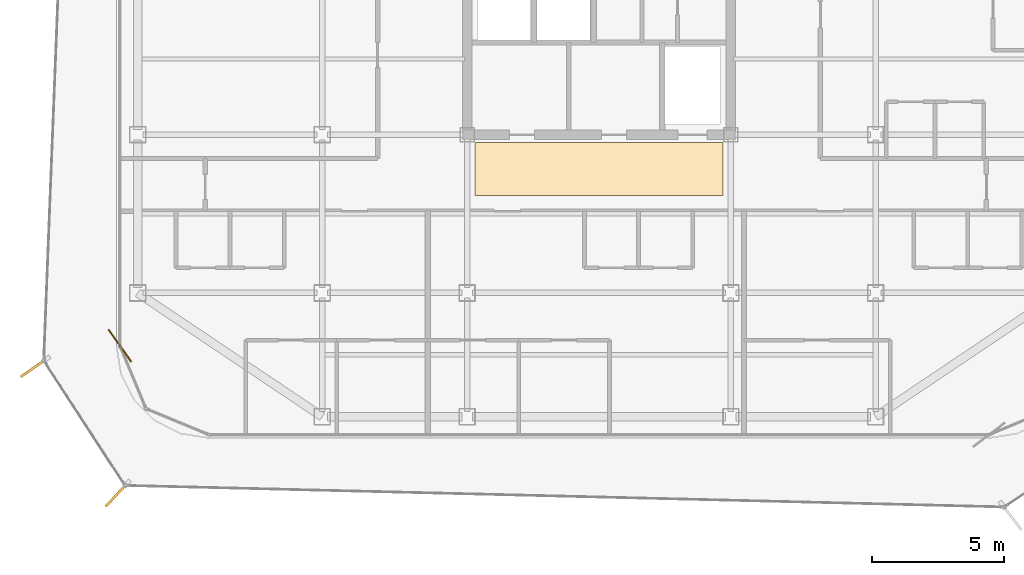
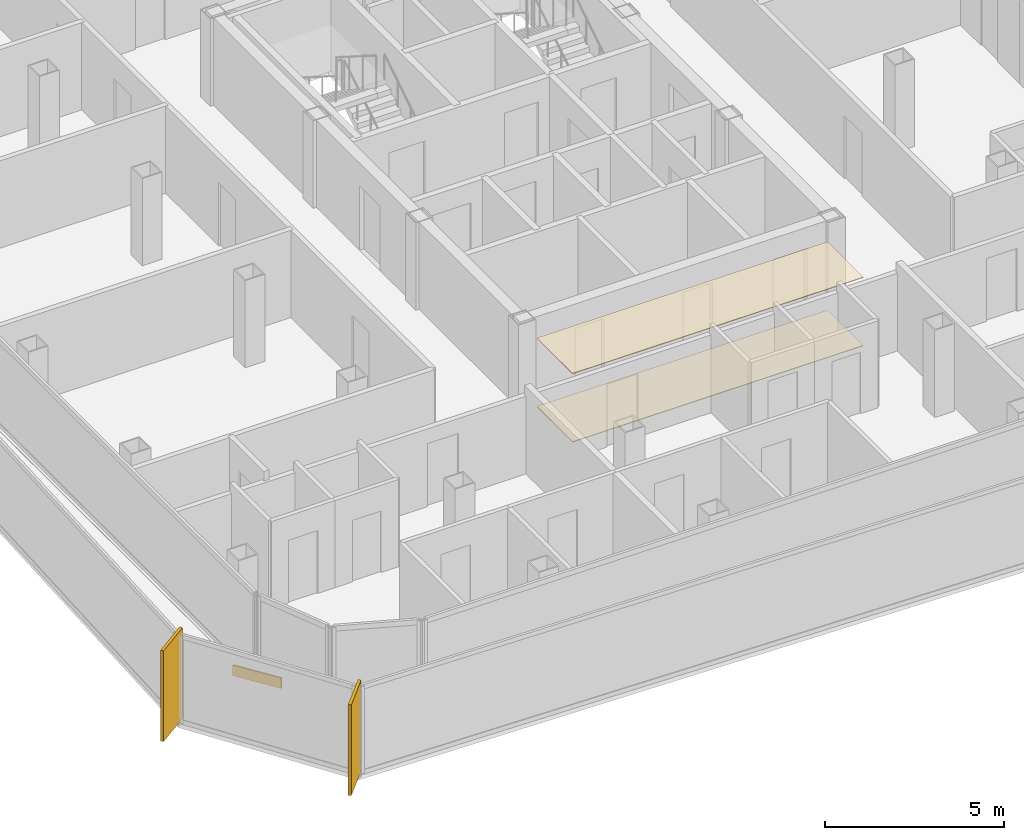
# One storey, part 13 of 15: 3 coverings, 2 shading devices.
"""IFC4 building model written with IfcOpenShell, lengths in metres."""

from ifc_helpers import new_model, si_unit, direction, frame, origin, origin_2d, place, context, subcontext, project, spatial, polyline, rectangle, outline, extrude, source, transform, mapped, material, layer, layer_set, type_object, element, save


model = new_model("IFC4")

# Units and contexts
model_context = context("Model", 3, precision=1e-05, world=origin(), true_north=direction((0.0, 1.0)))
body_context = subcontext(model_context, "Body", "Model", "MODEL_VIEW")
ifc_project = project(units=[si_unit("LENGTHUNIT", "METRE"), si_unit("AREAUNIT", "SQUARE_METRE"), si_unit("VOLUMEUNIT", "CUBIC_METRE"), si_unit("PLANEANGLEUNIT", "RADIAN"), si_unit("MASSUNIT", "GRAM", prefix="KILO")], contexts=[model_context])

# Site, building, storey
site_placement = place(None, origin())
site = spatial("IfcSite", under=ifc_project, at=site_placement, CompositionType="ELEMENT")
building_placement = place(site_placement, origin())
building = spatial("IfcBuilding", under=site, at=building_placement, Name="Kolveth Station Tower", CompositionType="ELEMENT")
storey_placement = place(building_placement, frame((0.0, 0.0, 252.10009765625)))
storey = spatial("IfcBuildingStorey", under=building, at=storey_placement, Name="L72", CompositionType="ELEMENT", Elevation=252.10009765625)

# Coverings
ifc_material_1 = material(Name="Acoustic mineral-fibre ceiling tile")
ifc_layer_1 = layer(ifc_material_1, 0.02490234375)
ifc_layer_set_1 = layer_set([ifc_layer_1], Name="Acoustic mineral-fibre ceiling tile")
covering_type_1 = type_object("IfcCoveringType", Name="Ceil_CL1", PredefinedType="CEILING", material=ifc_layer_set_1)
covering_1_placement = place(storey_placement, frame((0.0, 0.0, 2.329833984375)))
element("IfcCovering", 1, at=covering_1_placement, inside=storey, type_object=covering_type_1, Name="L72 Lift Lobby Suspended Ceiling", PredefinedType="CEILING", context=body_context, shape_type="SweptSolid", body=[
    extrude(outline(polyline([(18.800048828125, 9.199951171875), (28.199951171875, 9.199951171875), (28.199951171875, 11.199951171875), (18.800048828125, 11.199951171875), (18.800048828125, 9.199951171875)])), origin(), (0.0, 0.0, 1.0), 0.025146484375),
])
ifc_material_2 = material(Name="Honed terrazzo flooring")
ifc_layer_2 = layer(ifc_material_2, 0.02001953125)
ifc_layer_set_2 = layer_set([ifc_layer_2], Name="Honed terrazzo flooring")
covering_type_2 = type_object("IfcCoveringType", Name="Floor_FL1", PredefinedType="FLOORING", material=ifc_layer_set_2)
covering_2_placement = place(storey_placement, origin())
element("IfcCovering", 2, at=covering_2_placement, inside=storey, type_object=covering_type_2, Name="L72 Lift Lobby Floor Finish", PredefinedType="FLOORING", context=body_context, shape_type="SweptSolid", body=[
    extrude(outline(polyline([(18.800048828125, 9.199951171875), (28.199951171875, 9.199951171875), (28.199951171875, 11.199951171875), (18.800048828125, 11.199951171875), (18.800048828125, 9.199951171875)])), origin(), (0.0, 0.0, 1.0), 0.02001953125),
])

# Shading devices
ifc_material_3 = material(Name="Black anodized aluminium 6063-T6", Category="aluminium")
shading_device_type = type_object("IfcShadingDeviceType", Name="FIN_VF1", PredefinedType="USERDEFINED", material=ifc_material_3)
shared_shape_1 = source(origin(), body_context, "Body", "SweptSolid", [
    extrude(rectangle(XDim=1.25, YDim=0.090087890625, at=origin_2d()), origin(), (0.0, 0.0, 1.0), 3.10009765625),
])
for number, where, z_axis, x_axis, name in (
    (3, (2.070068359375, 2.6689453125, -0.000244140625), (0.0, 0.0, 1.0), (-0.819552276527, -0.573004420611, 0.0), "L72 Dark-Aluminium Solar Fin 7"),
    (4, (5.212890625, -2.14306640625, -0.000244140625), (0.0, 0.0, 1.0), (-0.678672571739, -0.73444097133, 0.0), "L72 Dark-Aluminium Solar Fin 8"),
):
    element("IfcShadingDevice", number, at=place(storey_placement, frame(where, z_axis=z_axis, x_axis=x_axis)), inside=storey, type_object=shading_device_type, Name=name, ObjectType="FIN", PredefinedType="USERDEFINED", context=body_context, shape_type="MappedRepresentation", body=[
        mapped(shared_shape_1, transform((0.0, 0.0, 0.0), x_axis=(1.0, 0.0, 0.0), y_axis=(0.0, 1.0, 0.0), z_axis=(0.0, 0.0, 1.0), scale=1.0)),
    ])

# Covering
ifc_material_4 = material(Name="Charcoal anodized aluminium spandrel cladding", Category="aluminium")
ifc_layer_3 = layer(ifc_material_4, 0.044921875)
ifc_layer_set_3 = layer_set([ifc_layer_3], Name="Charcoal anodized aluminium spandrel cladding")
covering_type_3 = type_object("IfcCoveringType", Name="Clad_CD1", PredefinedType="CLADDING", material=ifc_layer_set_3)
shared_shape_2 = source(origin(), body_context, "Body", "SweptSolid", [
    extrude(rectangle(XDim=1.5, YDim=0.044921875, at=origin_2d()), origin(), (0.0, 0.0, 1.0), 0.360107421875),
])
covering_3_placement = place(storey_placement, frame((5.320068359375, 3.5, 0.0), z_axis=(0.0, 0.0, 1.0), x_axis=(0.573004420611, -0.819552276527, 0.0)))
element("IfcCovering", 5, at=covering_3_placement, inside=storey, type_object=covering_type_3, Name="L72 Spandrel Edge Cladding 7", PredefinedType="CLADDING", context=body_context, shape_type="MappedRepresentation", body=[
    mapped(shared_shape_2, transform((0.0, 0.0, 0.0), x_axis=(1.0, 0.0, 0.0), y_axis=(0.0, 1.0, 0.0), z_axis=(0.0, 0.0, 1.0), scale=1.0)),
])

save(model, "model.ifc")
